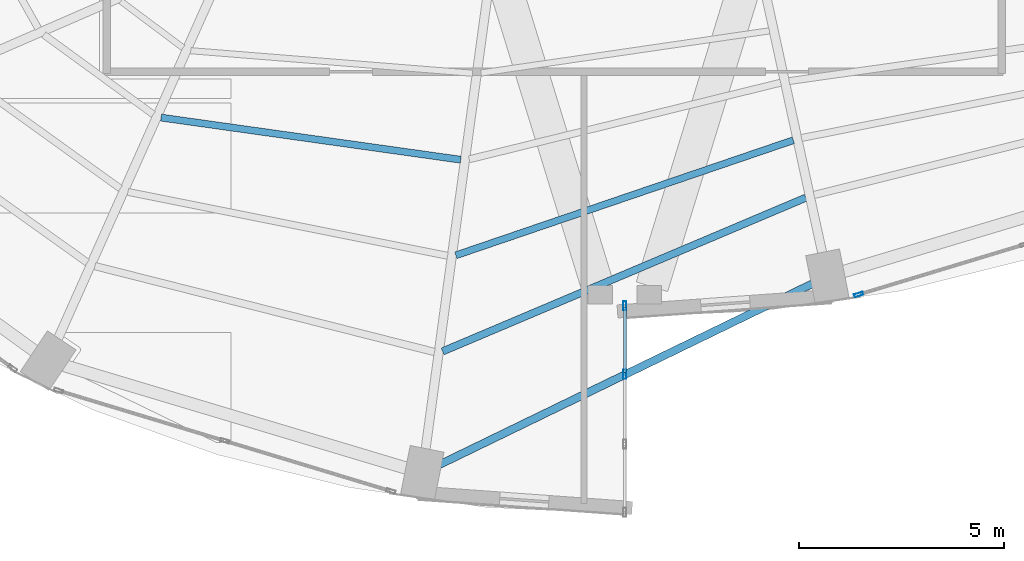
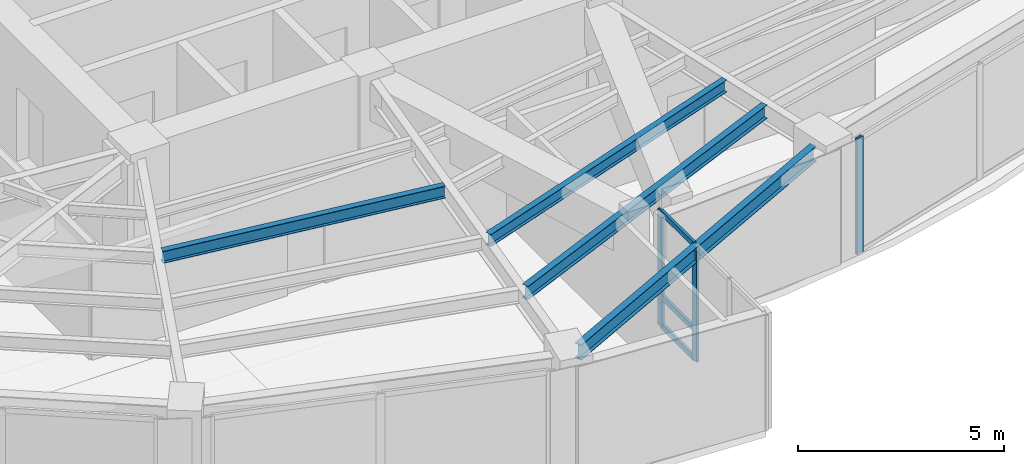
# One storey, part 6 of 24: 6 members, 4 beams, 2 elements without a shape of their own.
"""IFC4 building model written with IfcOpenShell, lengths in metres."""

from ifc_helpers import new_model, si_unit, direction, frame, origin, origin_2d, place, context, subcontext, project, spatial, hollow_rectangle, i_section, extrude, material, layer, layer_set, material_profile, profile_set, type_object, element, aggregate, save


model = new_model("IFC4")

# Units and contexts
model_context = context("Model", 3, precision=1e-05, world=origin(), true_north=direction((0.0, 1.0)))
body_context = subcontext(model_context, "Body", "Model", "MODEL_VIEW")
ifc_project = project(units=[si_unit("LENGTHUNIT", "METRE"), si_unit("AREAUNIT", "SQUARE_METRE"), si_unit("VOLUMEUNIT", "CUBIC_METRE"), si_unit("PLANEANGLEUNIT", "RADIAN"), si_unit("MASSUNIT", "GRAM", prefix="KILO")], contexts=[model_context])

# Site, building, storey
site_placement = place(None, origin())
site = spatial("IfcSite", under=ifc_project, at=site_placement, CompositionType="ELEMENT")
building_placement = place(site_placement, origin())
building = spatial("IfcBuilding", under=site, at=building_placement, Name="Lazwardi Medical Tower", CompositionType="ELEMENT")
storey_placement = place(building_placement, frame((0.0, 0.0, 96.3359375)))
storey = spatial("IfcBuildingStorey", under=building, at=storey_placement, Name="L24", CompositionType="ELEMENT", Elevation=96.3359375)

# Beams
ifc_material_1 = material(Name="Steel S355", Category="steel")
ifc_material_profile_1 = material_profile(ifc_material_1, i_section(OverallWidth=0.179931640625, OverallDepth=0.39990234375, WebThickness=0.008544921875, FlangeThickness=0.013427734375, at=origin_2d()), Name="IPE 400")
ifc_profile_set_1 = profile_set([ifc_material_profile_1], Name="Steel S355")
beam_type_1 = type_object("IfcBeamType", Name="BM-SJ-01", PredefinedType="JOIST", material=ifc_profile_set_1)
beam_1_placement = place(storey_placement, frame((31.550537109375, 10.571533203125, 3.22802734375), z_axis=(0.920947307957, 0.389687125739, 0.0), x_axis=(-0.389687125739, 0.920947307957, 0.0)))
element("IfcBeam", 1, at=beam_1_placement, inside=storey, type_object=beam_type_1, Name="Secondary joist SJ-01 R1 B16 L24", PredefinedType="JOIST", context=body_context, shape_type="SweptSolid", body=[
    extrude(i_section(OverallWidth=0.179931640625, OverallDepth=0.39990234375, WebThickness=0.008544921875, FlangeThickness=0.013427734375, at=origin_2d()), origin(), (0.0, 0.0, 1.0), 9.63134765625),
])
ifc_material_profile_2 = material_profile(ifc_material_1, i_section(OverallWidth=0.169921875, OverallDepth=0.360107421875, WebThickness=0.008056640625, FlangeThickness=0.0126953125, at=origin_2d()), Name="IPE 360")
ifc_profile_set_2 = profile_set([ifc_material_profile_2], Name="Steel S355")
beam_type_2 = type_object("IfcBeamType", Name="BM-SJ-02", PredefinedType="JOIST", material=ifc_profile_set_2)
beam_2_placement = place(storey_placement, frame((31.874267578125, 12.91796875, 3.248046875), z_axis=(0.946467154368, 0.322800132749, 0.0), x_axis=(-0.322800132749, 0.946467154368, 0.0)))
element("IfcBeam", 2, at=beam_2_placement, inside=storey, type_object=beam_type_2, Name="Secondary joist SJ-02 R2 B16 L24", PredefinedType="JOIST", context=body_context, shape_type="SweptSolid", body=[
    extrude(i_section(OverallWidth=0.169921875, OverallDepth=0.360107421875, WebThickness=0.008056640625, FlangeThickness=0.0126953125, at=origin_2d()), origin(), (0.0, 0.0, 1.0), 8.70458984375),
])
beam_3_placement = place(storey_placement, frame((24.67431640625, 16.281005859375, 3.248046875), z_axis=(0.990260920731, -0.139223952222, 0.0), x_axis=(0.139223952222, 0.990260920731, 0.0)))
element("IfcBeam", 3, at=beam_3_placement, inside=storey, type_object=beam_type_2, Name="Secondary joist SJ-02 R3 B15 L24", PredefinedType="JOIST", context=body_context, shape_type="SweptSolid", body=[
    extrude(i_section(OverallWidth=0.169921875, OverallDepth=0.360107421875, WebThickness=0.008056640625, FlangeThickness=0.0126953125, at=origin_2d()), origin(), (0.0, 0.0, 1.0), 7.3896484375),
])
ifc_material_profile_3 = material_profile(ifc_material_1, i_section(OverallWidth=0.18994140625, OverallDepth=0.449951171875, WebThickness=0.009521484375, FlangeThickness=0.0146484375, at=origin_2d()), Name="IPE 450")
ifc_profile_set_3 = profile_set([ifc_material_profile_3], Name="Steel S355")
beam_type_3 = type_object("IfcBeamType", Name="BM-SP-01", PredefinedType="SPANDREL", material=ifc_profile_set_3)
beam_4_placement = place(storey_placement, frame((31.42333984375, 7.781494140625, 3.203125), z_axis=(0.899653336227, 0.436604941125, 0.0), x_axis=(-0.436604941125, 0.899653336227, 0.0)))
element("IfcBeam", 4, at=beam_4_placement, inside=storey, type_object=beam_type_3, Name="Spandrel beam SP-01 B16 L24", PredefinedType="SPANDREL", context=body_context, shape_type="SweptSolid", body=[
    extrude(i_section(OverallWidth=0.18994140625, OverallDepth=0.449951171875, WebThickness=0.009521484375, FlangeThickness=0.0146484375, at=origin_2d()), origin(), (0.0, 0.0, 1.0), 10.17431640625),
])

# Curtain wall, member
ifc_material_2 = material(Name="Anodised bronze aluminium and solar control glazing", Category="aluminium")
ifc_layer_1 = layer(ifc_material_2, 0.195068359375)
ifc_layer_set_1 = layer_set([ifc_layer_1], Name="Anodised bronze aluminium and solar control glazing")
curtain_wall_type_1 = type_object("IfcCurtainWallType", Name="CW-SYS-03", PredefinedType="NOTDEFINED", material=ifc_layer_set_1)
curtain_wall_1_placement = place(storey_placement, origin())
curtain_wall_1 = element("IfcCurtainWall", 5, at=curtain_wall_1_placement, inside=storey, type_object=curtain_wall_type_1, Name="L24 Unitised bronze curtain wall CW-03", PredefinedType="NOTDEFINED")
ifc_material_3 = material(Name="Anodised bronze aluminium", Category="aluminium")
ifc_material_profile_4 = material_profile(ifc_material_3, hollow_rectangle(XDim=0.074951171875, YDim=0.219970703125, WallThickness=0.00390625, at=origin_2d()), Name="ALU-MULLION 220x75x4")
ifc_profile_set_4 = profile_set([ifc_material_profile_4], Name="Anodised bronze aluminium")
member_type_1 = type_object("IfcMemberType", Name="CW-MUL-01", PredefinedType="MULLION", material=ifc_profile_set_4)
member_1_placement = place(storey_placement, frame((41.710205078125, 11.9599609375, 0.0), z_axis=(0.0, 0.0, 1.0), x_axis=(-0.28937381157, 0.957216170558, 0.0)))
member_1 = element("IfcMember", 6, at=member_1_placement, type_object=member_type_1, Name="CW-03 mullion 1", PredefinedType="MULLION", context=body_context, shape_type="SweptSolid", body=[
    extrude(hollow_rectangle(XDim=0.074951171875, YDim=0.219970703125, WallThickness=0.00390625, at=origin_2d()), origin(), (0.0, 0.0, 1.0), 3.427978515625),
])
aggregate(curtain_wall_1, [member_1])

# Curtain wall, members
ifc_layer_2 = layer(ifc_material_2, 0.2099609375)
ifc_layer_set_2 = layer_set([ifc_layer_2], Name="Anodised bronze aluminium and solar control glazing")
curtain_wall_type_2 = type_object("IfcCurtainWallType", Name="CW-SYS-06", PredefinedType="NOTDEFINED", material=ifc_layer_set_2)
curtain_wall_2_placement = place(storey_placement, origin())
curtain_wall_2 = element("IfcCurtainWall", 7, at=curtain_wall_2_placement, inside=storey, type_object=curtain_wall_type_2, Name="L24 Unitised bronze curtain wall CW-06", PredefinedType="NOTDEFINED")
member_2_placement = place(storey_placement, frame((36.0, 10.013427734375, 0.0), z_axis=(0.0, 0.0, 1.0), x_axis=(-1.0, 0.0, 0.0)))
member_2 = element("IfcMember", 8, at=member_2_placement, type_object=member_type_1, Name="CW-06 mullion 3", PredefinedType="MULLION", context=body_context, shape_type="SweptSolid", body=[
    extrude(hollow_rectangle(XDim=0.074951171875, YDim=0.219970703125, WallThickness=0.00390625, at=origin_2d()), origin(), (0.0, 0.0, 1.0), 3.427978515625),
])
member_3_placement = place(storey_placement, frame((36.0, 11.6826171875, 0.0), z_axis=(0.0, 0.0, 1.0), x_axis=(-1.0, 0.0, 0.0)))
member_3 = element("IfcMember", 9, at=member_3_placement, type_object=member_type_1, Name="CW-06 mullion 4", PredefinedType="MULLION", context=body_context, shape_type="SweptSolid", body=[
    extrude(hollow_rectangle(XDim=0.074951171875, YDim=0.219970703125, WallThickness=0.00390625, at=origin_2d()), origin(), (0.0, 0.0, 1.0), 3.427978515625),
])
ifc_material_profile_5 = material_profile(ifc_material_3, hollow_rectangle(XDim=0.074951171875, YDim=0.159912109375, WallThickness=0.00390625, at=origin_2d()), Name="ALU-TRANSOM 160x75x4")
ifc_profile_set_5 = profile_set([ifc_material_profile_5], Name="Anodised bronze aluminium")
member_type_2 = type_object("IfcMemberType", Name="CW-TRN-01", PredefinedType="USERDEFINED", material=ifc_profile_set_5)
member_4_placement = place(storey_placement, frame((36.0, 10.05078125, 0.03759765625), z_axis=(0.0, 1.0, 0.0), x_axis=(-1.0, 0.0, 0.0)))
member_4 = element("IfcMember", 10, at=member_4_placement, type_object=member_type_2, Name="CW-06 transom 3.1", ObjectType="TRANSOM", PredefinedType="USERDEFINED", context=body_context, shape_type="SweptSolid", body=[
    extrude(hollow_rectangle(XDim=0.074951171875, YDim=0.159912109375, WallThickness=0.00390625, at=origin_2d()), origin(), (0.0, 0.0, 1.0), 1.59423828125),
])
member_5_placement = place(storey_placement, frame((36.0, 10.05078125, 0.900146484375), z_axis=(0.0, 1.0, 0.0), x_axis=(-1.0, 0.0, 0.0)))
member_5 = element("IfcMember", 11, at=member_5_placement, type_object=member_type_2, Name="CW-06 transom 3.2", ObjectType="TRANSOM", PredefinedType="USERDEFINED", context=body_context, shape_type="SweptSolid", body=[
    extrude(hollow_rectangle(XDim=0.074951171875, YDim=0.159912109375, WallThickness=0.00390625, at=origin_2d()), origin(), (0.0, 0.0, 1.0), 1.59423828125),
])
member_6_placement = place(storey_placement, frame((36.0, 10.05078125, 3.390625), z_axis=(0.0, 1.0, 0.0), x_axis=(-1.0, 0.0, 0.0)))
member_6 = element("IfcMember", 12, at=member_6_placement, type_object=member_type_2, Name="CW-06 transom 3.3", ObjectType="TRANSOM", PredefinedType="USERDEFINED", context=body_context, shape_type="SweptSolid", body=[
    extrude(hollow_rectangle(XDim=0.074951171875, YDim=0.159912109375, WallThickness=0.00390625, at=origin_2d()), origin(), (0.0, 0.0, 1.0), 1.59423828125),
])
aggregate(curtain_wall_2, [member_2, member_3, member_4, member_5, member_6])

save(model, "model.ifc")
